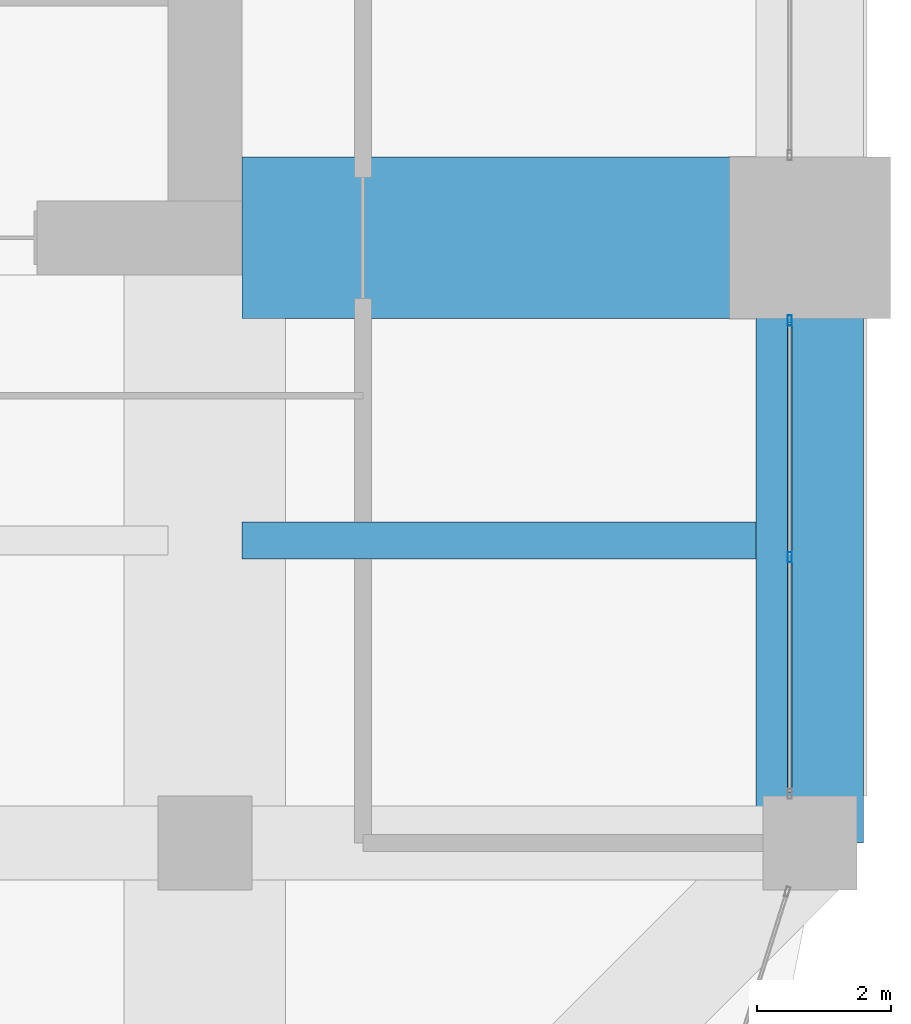
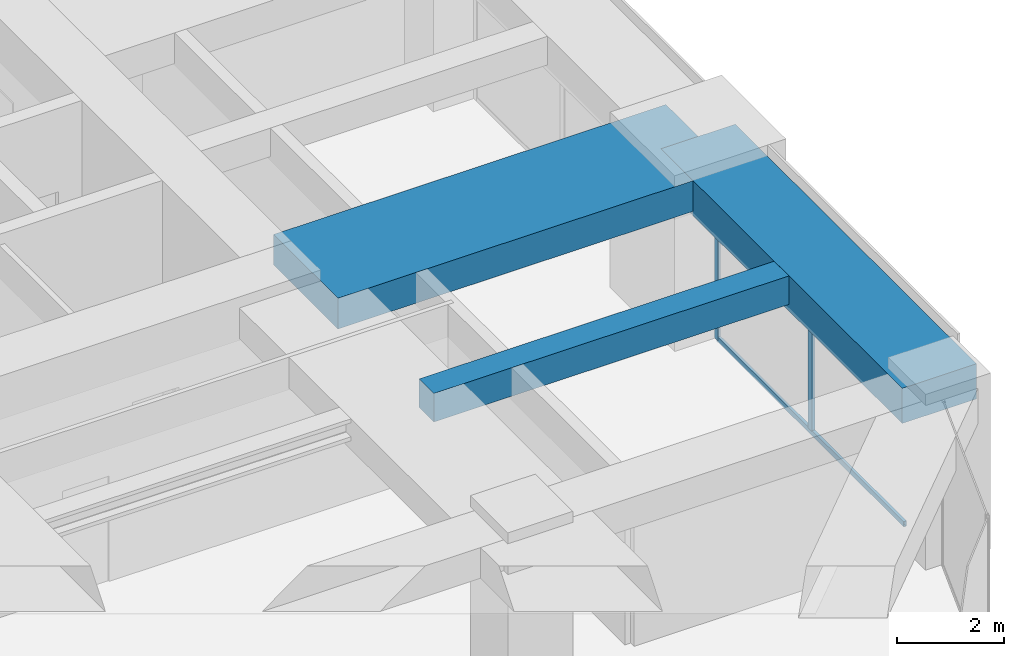
# One storey, part 17 of 34: 3 beams, 3 members, 1 element without a shape of its own.
"""IFC4 building model written with IfcOpenShell, lengths in metres."""

from ifc_helpers import new_model, si_unit, direction, frame, origin, origin_2d, place, context, subcontext, project, spatial, rectangle, hollow_rectangle, extrude, material, material_profile, profile_set, type_object, element, aggregate, save


model = new_model("IFC4")

# Units and contexts
model_context = context("Model", 3, precision=1e-05, world=origin(), true_north=direction((0.0, 1.0)))
body_context = subcontext(model_context, "Body", "Model", "MODEL_VIEW")
ifc_project = project(units=[si_unit("LENGTHUNIT", "METRE"), si_unit("AREAUNIT", "SQUARE_METRE"), si_unit("VOLUMEUNIT", "CUBIC_METRE"), si_unit("PLANEANGLEUNIT", "RADIAN"), si_unit("MASSUNIT", "GRAM", prefix="KILO")], contexts=[model_context])

# Site, building, storey
site_placement = place(None, origin())
site = spatial("IfcSite", under=ifc_project, at=site_placement, CompositionType="ELEMENT")
building_placement = place(site_placement, origin())
building = spatial("IfcBuilding", under=site, at=building_placement, Name="Zorevar Civic Tower", CompositionType="ELEMENT")
storey_placement = place(building_placement, frame((0.0, 0.0, 226.199951171875)))
storey = spatial("IfcBuildingStorey", under=building, at=storey_placement, Name="L55", CompositionType="ELEMENT", Elevation=226.199951171875)

# Beams
ifc_material_1 = material(Name="Concrete C50/60", Category="concrete")
ifc_material_profile_1 = material_profile(ifc_material_1, rectangle(XDim=2.39990234375, YDim=0.699951171875, at=origin_2d()), Name="RC 2400x700")
ifc_profile_set_1 = profile_set([ifc_material_profile_1], Name="Concrete C50/60")
beam_type_1 = type_object("IfcBeamType", Name="Beam RC 2400x700", PredefinedType="BEAM", material=ifc_profile_set_1)
beam_1_placement = place(storey_placement, frame((45.550048828125, 18.0, 3.400146484375), z_axis=(1.0, 0.0, 0.0), x_axis=(0.0, 1.0, 0.0)))
element("IfcBeam", 1, at=beam_1_placement, inside=storey, type_object=beam_type_1, Name="Girder L56", PredefinedType="BEAM", context=body_context, shape_type="SweptSolid", body=[
    extrude(rectangle(XDim=2.39990234375, YDim=0.699951171875, at=origin_2d()), origin(), (0.0, 0.0, 1.0), 8.449951171875),
])
ifc_material_2 = material(Name="Concrete C50/60", Category="concrete")
ifc_material_profile_2 = material_profile(ifc_material_2, rectangle(XDim=0.550048828125, YDim=0.64990234375, at=origin_2d()), Name="RC 550x650")
ifc_profile_set_2 = profile_set([ifc_material_profile_2], Name="Concrete C50/60")
beam_type_2 = type_object("IfcBeamType", Name="Beam RC 550x650", PredefinedType="BEAM", material=ifc_profile_set_2)
beam_2_placement = place(storey_placement, frame((45.550048828125, 13.5, 3.425048828125), z_axis=(1.0, 0.0, 0.0), x_axis=(0.0, 1.0, 0.0)))
element("IfcBeam", 2, at=beam_2_placement, inside=storey, type_object=beam_type_2, Name="Secondary beam L56", PredefinedType="BEAM", context=body_context, shape_type="SweptSolid", body=[
    extrude(rectangle(XDim=0.550048828125, YDim=0.64990234375, at=origin_2d()), origin(), (0.0, 0.0, 1.0), 7.64990234375),
])

# Curtain wall, members
ifc_material_3 = material(Name="Dark grey solar-control glass in black aluminium frame", Category="aluminium")
curtain_wall_type = type_object("IfcCurtainWallType", Name="Curtain wall CW4 high zone", PredefinedType="NOTDEFINED", material=ifc_material_3)
curtain_wall_placement = place(storey_placement, origin())
curtain_wall = element("IfcCurtainWall", 3, at=curtain_wall_placement, inside=storey, type_object=curtain_wall_type, Name="CW4 L55", PredefinedType="NOTDEFINED")
ifc_material_4 = material(Name="Aluminium, black anodised", Category="aluminium")
ifc_material_profile_3 = material_profile(ifc_material_4, hollow_rectangle(XDim=0.06005859375, YDim=0.14990234375, WallThickness=0.00390625, at=origin_2d()), Name="AL 150x60x4")
ifc_profile_set_3 = profile_set([ifc_material_profile_3], Name="Aluminium, black anodised")
member_type_1 = type_object("IfcMemberType", Name="CW4 mullion AL 150x60x4", PredefinedType="MULLION", material=ifc_profile_set_3)
member_1_placement = place(storey_placement, frame((53.699951171875, 13.25, 0.06005859375), z_axis=(0.0, 0.0, 1.0), x_axis=(-1.0, 0.0, 0.0)))
member_1 = element("IfcMember", 4, at=member_1_placement, type_object=member_type_1, Name="CW4 mullion 2", PredefinedType="MULLION", context=body_context, shape_type="SweptSolid", body=[
    extrude(hollow_rectangle(XDim=0.06005859375, YDim=0.14990234375, WallThickness=0.00390625, at=origin_2d()), origin(), (0.0, 0.0, 1.0), 2.889892578125),
])
member_2_placement = place(storey_placement, frame((53.699951171875, 16.77001953125, 0.0), z_axis=(0.0, 0.0, 1.0), x_axis=(-1.0, 0.0, 0.0)))
member_2 = element("IfcMember", 5, at=member_2_placement, type_object=member_type_1, Name="CW4 mullion 3", PredefinedType="MULLION", context=body_context, shape_type="SweptSolid", body=[
    extrude(hollow_rectangle(XDim=0.06005859375, YDim=0.14990234375, WallThickness=0.00390625, at=origin_2d()), origin(), (0.0, 0.0, 1.0), 2.949951171875),
])
ifc_material_5 = material(Name="Aluminium, black anodised", Category="aluminium")
ifc_material_profile_4 = material_profile(ifc_material_5, hollow_rectangle(XDim=0.06005859375, YDim=0.1201171875, WallThickness=0.0029296875, at=origin_2d()), Name="AL 120x60x3")
ifc_profile_set_4 = profile_set([ifc_material_profile_4], Name="Aluminium, black anodised")
member_type_2 = type_object("IfcMemberType", Name="CW4 transom AL 120x60x3", PredefinedType="USERDEFINED", material=ifc_profile_set_4)
member_3_placement = place(storey_placement, frame((53.699951171875, 9.760009765625, 0.030029296875), z_axis=(0.0, 1.0, 0.0), x_axis=(-1.0, 0.0, 0.0)))
member_3 = element("IfcMember", 6, at=member_3_placement, type_object=member_type_2, Name="CW4 sill transom", ObjectType="TRANSOM", PredefinedType="USERDEFINED", context=body_context, shape_type="SweptSolid", body=[
    extrude(hollow_rectangle(XDim=0.06005859375, YDim=0.1201171875, WallThickness=0.0029296875, at=origin_2d()), origin(), (0.0, 0.0, 1.0), 6.97998046875),
])
aggregate(curtain_wall, [member_1, member_2, member_3])

# Beam
ifc_material_6 = material(Name="Concrete C50/60", Category="concrete")
ifc_material_profile_5 = material_profile(ifc_material_6, rectangle(XDim=1.60009765625, YDim=0.800048828125, at=origin_2d()), Name="RC 1600x800")
ifc_profile_set_5 = profile_set([ifc_material_profile_5], Name="Concrete C50/60")
beam_type_3 = type_object("IfcBeamType", Name="Edge beam RC 1600x800", PredefinedType="SPANDREL", material=ifc_profile_set_5)
beam_3_placement = place(storey_placement, frame((54.0, 9.0, 3.35009765625), z_axis=(0.0, 1.0, 0.0), x_axis=(-1.0, 0.0, 0.0)))
element("IfcBeam", 7, at=beam_3_placement, inside=storey, type_object=beam_type_3, Name="Edge beam L56", PredefinedType="SPANDREL", context=body_context, shape_type="SweptSolid", body=[
    extrude(rectangle(XDim=1.60009765625, YDim=0.800048828125, at=origin_2d()), origin(), (0.0, 0.0, 1.0), 9.0),
])

save(model, "model.ifc")
